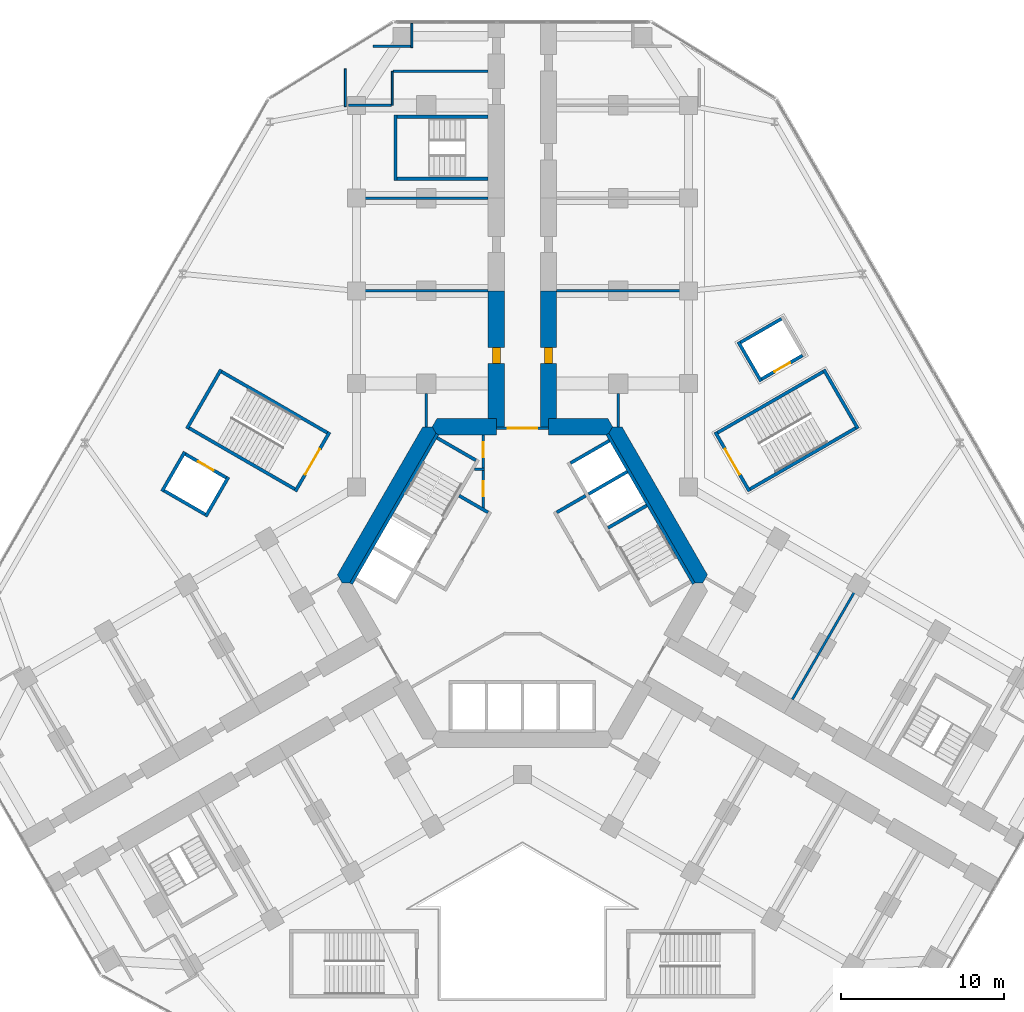
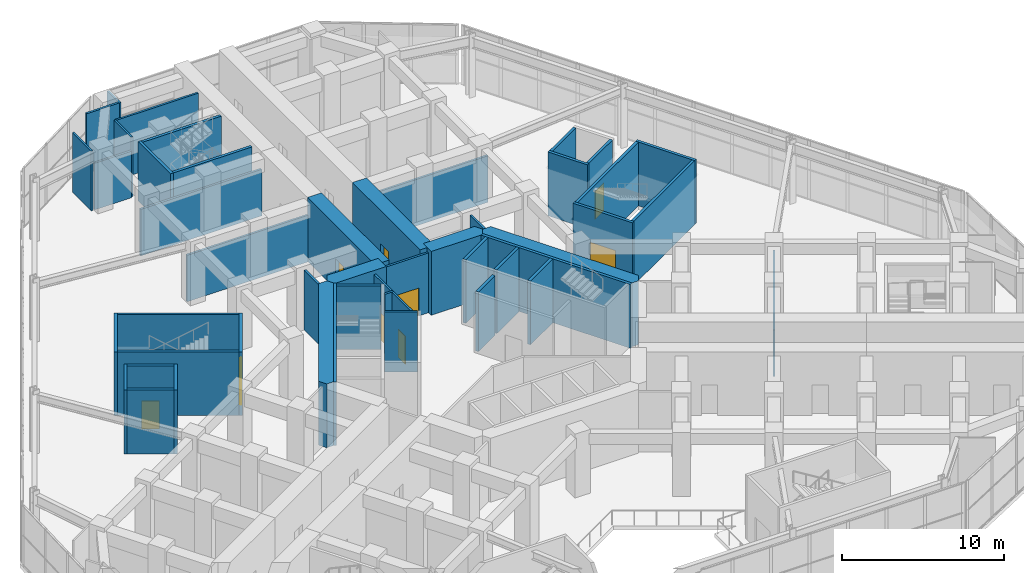
# One storey, part 17 of 21: 47 walls, 9 doors, 9 openings.
"""IFC4 building model written with IfcOpenShell, lengths in metres."""

import ifcopenshell
import ifcopenshell.guid

model = None  # the IFC model being written
_history = None  # IfcOwnerHistory: only IFC2X3 demands one
_inside = {}  # id of a spatial element -> (the spatial element, [elements in it])
_under = {}  # id of a project, library or spatial element -> (it, [spatial elements below it])
_declared = {}  # id of a project -> (the project, [libraries it declares])
_typed = {}  # id of a type object -> (the type object, [elements of that type])
_made_of = {}  # id of a material, layer set ... -> (it, [elements and type objects made of it])


def new_model(schema):
    """Start an empty IFC model of exactly this schema.

    Asked for "IFC4X3", IfcOpenShell would pick the latest addendum, in which some entities
    have other attributes; the version numbers below select the first issue.
    IFC2X3 requires an IfcOwnerHistory on every rooted entity: one is made here for all.
    """
    global model, _history
    if schema == "IFC4X3":
        model = ifcopenshell.file(schema_version=(4, 3, 0, 0))
    else:
        model = ifcopenshell.file(schema=schema)
    _inside.clear()
    _under.clear()
    _declared.clear()
    _typed.clear()
    _made_of.clear()
    _history = None
    if model.schema == "IFC2X3":
        org = make("IfcOrganization", Name="unknown")
        user = make(
            "IfcPersonAndOrganization",
            ThePerson=make("IfcPerson", FamilyName="unknown"),
            TheOrganization=org,
        )
        app = make(
            "IfcApplication",
            ApplicationDeveloper=org,
            Version="unknown",
            ApplicationFullName="unknown",
            ApplicationIdentifier="unknown",
        )
        _history = make(
            "IfcOwnerHistory",
            OwningUser=user,
            OwningApplication=app,
            ChangeAction="ADDED",
            CreationDate=0,
        )
    return model


def make(cls, **values):
    """One entity of the class cls with the attributes given. An attribute that is None is left unset."""
    return model.create_entity(
        cls, **{name: value for name, value in values.items() if value is not None}
    )


def rooted(cls, **values):
    """An entity with a GlobalId (a new one), such as an element, a storey or a relation."""
    return make(cls, GlobalId=ifcopenshell.guid.new(), OwnerHistory=_history, **values)


def si_unit(unit_type, name, prefix=None):
    """IfcSIUnit, for example si_unit("LENGTHUNIT", "METRE", prefix="MILLI")."""
    return make("IfcSIUnit", UnitType=unit_type, Prefix=prefix, Name=name)


def assignment(units):
    """IfcUnitAssignment: the units of a project."""
    return None if units is None else make("IfcUnitAssignment", Units=units)


def point(xyz):
    """IfcCartesianPoint."""
    return None if xyz is None else make("IfcCartesianPoint", Coordinates=xyz)


def direction(xyz):
    """IfcDirection."""
    return None if xyz is None else make("IfcDirection", DirectionRatios=xyz)


def frame(location, z_axis=None, x_axis=None):
    """IfcAxis2Placement3D, a coordinate frame: its origin and axes. An axis left out is left unset."""
    return make(
        "IfcAxis2Placement3D",
        Location=point(location),
        Axis=direction(z_axis),
        RefDirection=direction(x_axis),
    )


def frame_2d(location, x_axis=None):
    """IfcAxis2Placement2D, a coordinate frame in the plane: its origin and x axis."""
    return make(
        "IfcAxis2Placement2D", Location=point(location), RefDirection=direction(x_axis)
    )


def origin():
    """The frame at (0, 0, 0) with its axes left unset."""
    return frame((0.0, 0.0, 0.0))


def place(relative_to, where):
    """IfcLocalPlacement: puts the frame where relative to a parent placement (None: the world)."""
    return make(
        "IfcLocalPlacement", PlacementRelTo=relative_to, RelativePlacement=where
    )


def context(
    kind, dimensions, precision=None, world=None, true_north=None, identifier=None
):
    """IfcGeometricRepresentationContext, for example the 3D "Model" context."""
    return make(
        "IfcGeometricRepresentationContext",
        ContextIdentifier=identifier,
        ContextType=kind,
        CoordinateSpaceDimension=dimensions,
        Precision=precision,
        WorldCoordinateSystem=world,
        TrueNorth=true_north,
    )


def subcontext(parent, identifier, kind, view, scale=None):
    """IfcGeometricRepresentationSubContext, for example "Body" below "Model"."""
    return make(
        "IfcGeometricRepresentationSubContext",
        ContextIdentifier=identifier,
        ContextType=kind,
        ParentContext=parent,
        TargetScale=scale,
        TargetView=view,
    )


def project(units=None, contexts=None):
    """IfcProject with its units and contexts."""
    return rooted(
        "IfcProject",
        Name="project",
        RepresentationContexts=contexts,
        UnitsInContext=assignment(units),
    )


def spatial(cls, under=None, at=None, **own):
    """A site, building, storey or space (cls), placed at a placement, below another one or the project."""
    s = rooted(cls, ObjectPlacement=at, **own)
    if under is not None:
        _under.setdefault(under.id(), (under, []))[1].append(s)
    return s


def polyline(points):
    """IfcPolyline through the points."""
    return make("IfcPolyline", Points=[point(p) for p in points])


def profile(cls, at=None, kind="AREA", **sizes):
    """A parametric profile (cls). Its sizes go by their IFC names, for example OverallWidth=200.0."""
    return make(cls, ProfileType=kind, Position=at, **sizes)


def rectangle(**sizes):
    """IfcRectangleProfileDef."""
    return profile("IfcRectangleProfileDef", **sizes)


def outline(outer, holes=None, kind="AREA"):
    """IfcArbitraryClosedProfileDef: a profile drawn as a closed curve; with holes, ...WithVoids."""
    if holes is None:
        return make("IfcArbitraryClosedProfileDef", ProfileType=kind, OuterCurve=outer)
    return make(
        "IfcArbitraryProfileDefWithVoids",
        ProfileType=kind,
        OuterCurve=outer,
        InnerCurves=holes,
    )


def extrude(swept, where, along, depth):
    """IfcExtrudedAreaSolid: the profile swept, set in the frame where, extruded along a direction by depth."""
    return make(
        "IfcExtrudedAreaSolid",
        SweptArea=swept,
        Position=where,
        ExtrudedDirection=direction(along),
        Depth=depth,
    )


def shape(context_of_items, identifier, shape_type, items):
    """IfcShapeRepresentation: the items that make up one representation, for example the "Body"."""
    return make(
        "IfcShapeRepresentation",
        ContextOfItems=context_of_items,
        RepresentationIdentifier=identifier,
        RepresentationType=shape_type,
        Items=items,
    )


def material(Name=None, Category=None):
    """IfcMaterial."""
    return make("IfcMaterial", Name=Name, Category=Category)


def layer(
    of_material, thickness, ventilated=None, Name=None, Category=None, Priority=None
):
    """IfcMaterialLayer: one layer of a wall or slab, of a material (None: an air gap)."""
    return make(
        "IfcMaterialLayer",
        Material=of_material,
        LayerThickness=thickness,
        IsVentilated=ventilated,
        Name=Name,
        Category=Category,
        Priority=Priority,
    )


def layer_set(layers, Name=None):
    """IfcMaterialLayerSet."""
    return make("IfcMaterialLayerSet", MaterialLayers=layers, LayerSetName=Name)


def made_of(thing, what):
    """Note that an element or type object is made of a material, layer set ...; save() writes the relation."""
    if what is not None:
        _made_of.setdefault(what.id(), (what, []))[1].append(thing)
    return thing


def type_object(cls, material=None, **own):
    """A type object (cls), such as IfcWallType, which elements share."""
    return made_of(rooted(cls, **own), material)


def element(
    cls,
    number,
    at=None,
    inside=None,
    cuts=None,
    type_object=None,
    material=None,
    context=None,
    identifier="Body",
    shape_type=None,
    held_by="IfcProductDefinitionShape",
    body=None,
    shapes=None,
    **own,
):
    """One element of the class cls, such as IfcWall. Its Tag is "e" and its number.

    at: its placement. inside: the storey or other place that contains it. cuts: it is an
    opening in that element (IfcRelVoidsElement). A single representation is given by context,
    identifier, shape_type and body (its items); several are given by shapes. held_by: the class
    of the entity that holds the representations. save() writes the other relations.
    """
    e = rooted(cls, Tag="e%d" % number, ObjectPlacement=at, **own)
    if body is not None:
        shapes = [shape(context, identifier, shape_type, body)]
    if shapes is not None:
        e.Representation = make(held_by, Representations=shapes)
    if inside is not None:
        _inside.setdefault(inside.id(), (inside, []))[1].append(e)
    if cuts is not None:
        rooted(
            "IfcRelVoidsElement", RelatingBuildingElement=cuts, RelatedOpeningElement=e
        )
    if type_object is not None:
        _typed.setdefault(type_object.id(), (type_object, []))[1].append(e)
    return made_of(e, material)


def fill(opening, filler):
    """IfcRelFillsElement: the door or window that sits in an opening."""
    return rooted(
        "IfcRelFillsElement",
        RelatingOpeningElement=opening,
        RelatedBuildingElement=filler,
    )


def aggregate(whole, parts):
    """IfcRelAggregates: a whole, such as a stair, and the parts it consists of."""
    return rooted("IfcRelAggregates", RelatingObject=whole, RelatedObjects=parts)


def save(model, path):
    """Write the relations noted so far, then the file.

    IfcRelAggregates (storeys below a building ...), IfcRelContainedInSpatialStructure (elements
    in a storey), IfcRelDefinesByType, IfcRelAssociatesMaterial and IfcRelDeclares: one each for
    every whole, place, type object, material and project.
    """
    for whole, parts in _under.values():
        aggregate(whole, parts)
    for where, things in _inside.values():
        rooted(
            "IfcRelContainedInSpatialStructure",
            RelatedElements=things,
            RelatingStructure=where,
        )
    for kind, things in _typed.values():
        rooted("IfcRelDefinesByType", RelatedObjects=things, RelatingType=kind)
    for what, things in _made_of.values():
        rooted("IfcRelAssociatesMaterial", RelatedObjects=things, RelatingMaterial=what)
    for by, libraries in _declared.values():
        rooted("IfcRelDeclares", RelatingContext=by, RelatedDefinitions=libraries)
    model.write(path)


model = new_model("IFC4")

# Units and contexts
model_context = context("Model", 3, precision=1e-05, world=origin(), true_north=direction((0.0, 1.0)))
body_context = subcontext(model_context, "Body", "Model", "MODEL_VIEW")
ifc_project = project(units=[si_unit("LENGTHUNIT", "METRE"), si_unit("AREAUNIT", "SQUARE_METRE"), si_unit("VOLUMEUNIT", "CUBIC_METRE"), si_unit("PLANEANGLEUNIT", "RADIAN"), si_unit("MASSUNIT", "GRAM", prefix="KILO")], contexts=[model_context])

# Site, building, storey
site_placement = place(None, origin())
site = spatial("IfcSite", under=ifc_project, at=site_placement, CompositionType="ELEMENT")
building_placement = place(site_placement, origin())
building = spatial("IfcBuilding", under=site, at=building_placement, Name="Kosmar Iwan School Tower", CompositionType="ELEMENT")
storey_placement = place(building_placement, frame((0.0, 0.0, 6.0)))
storey = spatial("IfcBuildingStorey", under=building, at=storey_placement, Name="L01", CompositionType="ELEMENT", Elevation=6.0)

# Wall, openings, doors
ifc_material_1 = material(Name="Gypsum board on steel studs, fire-rated", Category="steel")
ifc_layer_1 = layer(ifc_material_1, 0.14990234375)
ifc_layer_set_1 = layer_set([ifc_layer_1], Name="Core room partition 150")
wall_type_1 = type_object("IfcWallType", Name="Core room partition 150", PredefinedType="PARTITIONING", material=ifc_layer_set_1)
wall_1_placement = place(storey_placement, frame((-2.39990234375, 9.094970703125, 0.0), z_axis=(0.0, 0.0, 1.0), x_axis=(0.0, -1.0, 0.0)))
wall_1 = element("IfcWall", 1, at=wall_1_placement, inside=storey, type_object=wall_type_1, Name="Core room partition L01-CW1", PredefinedType="PARTITIONING", context=body_context, shape_type="SweptSolid", body=[
    extrude(rectangle(XDim=4.564208984375, YDim=0.14990234375, at=frame_2d((2.2822265625, 0.0))), origin(), (0.0, 0.0, 1.0), 4.5),
])
opening_1_placement = place(wall_1_placement, frame((0.455078125, 0.0, 0.0)))
opening_1 = element("IfcOpeningElement", 2, at=opening_1_placement, cuts=wall_1, Name="Opening D14", PredefinedType="OPENING", context=body_context, shape_type="SweptSolid", body=[
    extrude(rectangle(XDim=0.89990234375, YDim=2.10009765625, at=frame_2d((0.449951171875, 1.050048828125))), frame((0.0, 0.0869140625, 0.0), z_axis=(0.0, -1.0, 0.0), x_axis=(1.0, 0.0, 0.0)), (0.0, 0.0, 1.0), 0.173828125),
])
opening_2_placement = place(wall_1_placement, frame((2.85498046875, 0.0, 0.0)))
opening_2 = element("IfcOpeningElement", 3, at=opening_2_placement, cuts=wall_1, Name="Opening D14", PredefinedType="OPENING", context=body_context, shape_type="SweptSolid", body=[
    extrude(rectangle(XDim=0.89990234375, YDim=2.10009765625, at=frame_2d((0.449951171875, 1.050048828125))), frame((0.0, 0.0869140625, 0.0), z_axis=(0.0, -1.0, 0.0), x_axis=(1.0, 0.0, 0.0)), (0.0, 0.0, 1.0), 0.173828125),
])
ifc_material_2 = material(Name="Timber fire door in steel frame", Category="steel")
door_type_1 = type_object("IfcDoorType", Name="Core room door 900x2100", OperationType="SINGLE_SWING_LEFT", PredefinedType="DOOR", material=ifc_material_2)
door_1_placement = place(opening_1_placement, origin())
door_1 = element("IfcDoor", 4, at=door_1_placement, inside=storey, type_object=door_type_1, Name="Electrical riser and switch room door L01 1", OperationType="SINGLE_SWING_LEFT", OverallHeight=2.10009765625, OverallWidth=0.89990234375, PredefinedType="DOOR", context=body_context, shape_type="SweptSolid", body=[
    extrude(rectangle(XDim=0.89990234375, YDim=2.10009765625, at=frame_2d((0.449951171875, 1.050048828125))), frame((0.0, 0.02490234375, 0.0), z_axis=(0.0, -1.0, 0.0), x_axis=(1.0, 0.0, 0.0)), (0.0, 0.0, 1.0), 0.050048828125),
])
fill(opening_1, door_1)
door_2_placement = place(opening_2_placement, origin())
door_2 = element("IfcDoor", 5, at=door_2_placement, inside=storey, type_object=door_type_1, Name="Plumbing and wet riser door L01 2", OperationType="SINGLE_SWING_RIGHT", OverallHeight=2.10009765625, OverallWidth=0.89990234375, PredefinedType="DOOR", context=body_context, shape_type="SweptSolid", body=[
    extrude(rectangle(XDim=0.89990234375, YDim=2.10009765625, at=frame_2d((0.449951171875, 1.050048828125))), frame((0.0, 0.02490234375, 0.0), z_axis=(0.0, -1.0, 0.0), x_axis=(1.0, 0.0, 0.0)), (0.0, 0.0, 1.0), 0.050048828125),
])
fill(opening_2, door_2)

# Walls
wall_2_placement = place(storey_placement, frame((-2.324951171875, 6.985107421875, 0.0), z_axis=(0.0, 0.0, 1.0), x_axis=(-1.0, 0.0, 0.0)))
element("IfcWall", 6, at=wall_2_placement, inside=storey, type_object=wall_type_1, Name="Core room partition L01-CW2", PredefinedType="PARTITIONING", context=body_context, shape_type="SweptSolid", body=[
    extrude(rectangle(XDim=0.623779296875, YDim=0.14990234375, at=frame_2d((0.31201171875, 0.0))), origin(), (0.0, 0.0, 1.0), 4.5),
])
ifc_material_3 = material(Name="Concrete C50/60", Category="concrete")
ifc_layer_2 = layer(ifc_material_3, 1.0)
ifc_layer_set_2 = layer_set([ifc_layer_2], Name="Core wall 1000")
wall_type_2 = type_object("IfcWallType", Name="Core wall 1000", PredefinedType="SHEAR", material=ifc_layer_set_2)
wall_3_placement = place(storey_placement, origin())
element("IfcWall", 7, at=wall_3_placement, inside=storey, type_object=wall_type_2, Name="Core wall F030", PredefinedType="SHEAR", context=body_context, shape_type="SweptSolid", body=[
    extrude(outline(polyline([(10.5078125, 0.0), (11.085205078125, 0.0), (11.373779296875, 0.5), (6.119873046875, 9.60009765625), (5.54248046875, 9.60009765625), (5.25390625, 9.10009765625), (10.5078125, 0.0)])), origin(), (0.0, 0.0, 1.0), 4.800048828125),
])
wall_4_placement = place(storey_placement, origin())
element("IfcWall", 8, at=wall_4_placement, inside=storey, type_object=wall_type_2, Name="Core wall F090a", PredefinedType="SHEAR", context=body_context, shape_type="SweptSolid", body=[
    extrude(outline(polyline([(1.60009765625, 9.10009765625), (5.25390625, 9.10009765625), (5.54248046875, 9.60009765625), (5.25390625, 10.10009765625), (1.60009765625, 10.10009765625), (1.60009765625, 9.10009765625)])), origin(), (0.0, 0.0, 1.0), 4.800048828125),
])
wall_5_placement = place(storey_placement, origin())
element("IfcWall", 9, at=wall_5_placement, inside=storey, type_object=wall_type_2, Name="Core wall F090b", PredefinedType="SHEAR", context=body_context, shape_type="SweptSolid", body=[
    extrude(outline(polyline([(-5.25390625, 9.10009765625), (-1.60009765625, 9.10009765625), (-1.60009765625, 10.10009765625), (-5.25390625, 10.10009765625), (-5.54248046875, 9.60009765625), (-5.25390625, 9.10009765625)])), origin(), (0.0, 0.0, 1.0), 4.800048828125),
])
wall_6_placement = place(storey_placement, origin())
element("IfcWall", 10, at=wall_6_placement, inside=storey, type_object=wall_type_2, Name="Core wall F150", PredefinedType="SHEAR", context=body_context, shape_type="SweptSolid", body=[
    extrude(outline(polyline([(-11.085205078125, 0.0), (-10.5078125, 0.0), (-5.25390625, 9.10009765625), (-5.54248046875, 9.60009765625), (-6.119873046875, 9.60009765625), (-11.373779296875, 0.5), (-11.085205078125, 0.0)])), origin(), (0.0, 0.0, 1.0), 4.800048828125),
])

# Wall, opening, door
ifc_material_4 = material(Name="Concrete C50/60", Category="concrete")
ifc_layer_3 = layer(ifc_material_4, 1.0)
ifc_layer_set_3 = layer_set([ifc_layer_3], Name="Corridor buttress wall 1000")
wall_type_3 = type_object("IfcWallType", Name="Corridor buttress wall 1000", PredefinedType="SHEAR", material=ifc_layer_set_3)
wall_7_placement = place(storey_placement, frame((-1.60009765625, 9.60009765625, 0.0), z_axis=(0.0, 0.0, 1.0), x_axis=(0.0, 1.0, 0.0)))
wall_7 = element("IfcWall", 11, at=wall_7_placement, inside=storey, type_object=wall_type_3, Name="Corridor wall AL", PredefinedType="SHEAR", context=body_context, shape_type="SweptSolid", body=[
    extrude(rectangle(XDim=8.349853515625, YDim=1.0, at=frame_2d((4.1748046875, 0.0))), origin(), (0.0, 0.0, 1.0), 4.800048828125),
])
opening_3_placement = place(wall_7_placement, frame((3.875, 0.0, 0.0)))
opening_3 = element("IfcOpeningElement", 12, at=opening_3_placement, cuts=wall_7, Name="Opening D4", PredefinedType="OPENING", context=body_context, shape_type="SweptSolid", body=[
    extrude(rectangle(XDim=1.0, YDim=2.300048828125, at=frame_2d((0.5, 1.14990234375))), frame((0.0, 0.511962890625, 0.0), z_axis=(0.0, -1.0, 0.0), x_axis=(1.0, 0.0, 0.0)), (0.0, 0.0, 1.0), 1.02392578125),
])
ifc_material_5 = material(Name="Timber fire door with vision panel", Category="wood")
door_type_2 = type_object("IfcDoorType", Name="Classroom door 1000x2300", OperationType="SINGLE_SWING_LEFT", PredefinedType="DOOR", material=ifc_material_5)
door_3_placement = place(opening_3_placement, origin())
door_3 = element("IfcDoor", 13, at=door_3_placement, inside=storey, type_object=door_type_2, Name="Kindergarten group room AL1 door L01-AL1", OperationType="SINGLE_SWING_RIGHT", OverallHeight=2.300048828125, OverallWidth=1.0, PredefinedType="DOOR", context=body_context, shape_type="SweptSolid", body=[
    extrude(rectangle(XDim=1.0, YDim=2.300048828125, at=frame_2d((0.5, 1.14990234375))), frame((0.0, 0.25, 0.0), z_axis=(0.0, -1.0, 0.0), x_axis=(1.0, 0.0, 0.0)), (0.0, 0.0, 1.0), 0.5),
])
fill(opening_3, door_3)

wall_8_placement = place(storey_placement, frame((1.60009765625, 9.60009765625, 0.0), z_axis=(0.0, 0.0, 1.0), x_axis=(0.0, 1.0, 0.0)))
wall_8 = element("IfcWall", 14, at=wall_8_placement, inside=storey, type_object=wall_type_3, Name="Corridor wall AR", PredefinedType="SHEAR", context=body_context, shape_type="SweptSolid", body=[
    extrude(rectangle(XDim=8.349853515625, YDim=1.0, at=frame_2d((4.1748046875, 0.0))), origin(), (0.0, 0.0, 1.0), 4.800048828125),
])
opening_4_placement = place(wall_8_placement, frame((3.875, 0.0, 0.0)))
opening_4 = element("IfcOpeningElement", 15, at=opening_4_placement, cuts=wall_8, Name="Opening D4", PredefinedType="OPENING", context=body_context, shape_type="SweptSolid", body=[
    extrude(rectangle(XDim=1.0, YDim=2.300048828125, at=frame_2d((0.5, 1.14990234375))), frame((0.0, 0.511962890625, 0.0), z_axis=(0.0, -1.0, 0.0), x_axis=(1.0, 0.0, 0.0)), (0.0, 0.0, 1.0), 1.02392578125),
])
door_4_placement = place(opening_4_placement, origin())
door_4 = element("IfcDoor", 16, at=door_4_placement, inside=storey, type_object=door_type_2, Name="Kindergarten group room AR1 door L01-AR1", OperationType="SINGLE_SWING_RIGHT", OverallHeight=2.300048828125, OverallWidth=1.0, PredefinedType="DOOR", context=body_context, shape_type="SweptSolid", body=[
    extrude(rectangle(XDim=1.0, YDim=2.300048828125, at=frame_2d((0.5, 1.14990234375))), frame((0.0, 0.25, 0.0), z_axis=(0.0, -1.0, 0.0), x_axis=(1.0, 0.0, 0.0)), (0.0, 0.0, 1.0), 0.5),
])
fill(opening_4, door_4)

ifc_material_6 = material(Name="Steel framed glazed screen", Category="steel")
ifc_layer_4 = layer(ifc_material_6, 0.14990234375)
ifc_layer_set_4 = layer_set([ifc_layer_4], Name="Corridor screen wall 150")
wall_type_4 = type_object("IfcWallType", Name="Corridor screen wall 150", PredefinedType="PARTITIONING", material=ifc_layer_set_4)
wall_9_placement = place(storey_placement, frame((1.60009765625, 9.5, 0.0), z_axis=(0.0, 0.0, 1.0), x_axis=(-1.0, 0.0, 0.0)))
wall_9 = element("IfcWall", 17, at=wall_9_placement, inside=storey, type_object=wall_type_4, Name="Corridor screen A L01", PredefinedType="PARTITIONING", context=body_context, shape_type="SweptSolid", body=[
    extrude(rectangle(XDim=3.2001953125, YDim=0.14990234375, at=frame_2d((1.60009765625, 0.0))), origin(), (0.0, 0.0, 1.0), 4.5),
])
opening_5_placement = place(wall_9_placement, frame((0.699951171875, 0.0, 0.0)))
opening_5 = element("IfcOpeningElement", 18, at=opening_5_placement, cuts=wall_9, Name="Opening D9", PredefinedType="OPENING", context=body_context, shape_type="SweptSolid", body=[
    extrude(rectangle(XDim=1.800048828125, YDim=2.10009765625, at=frame_2d((0.89990234375, 1.050048828125))), frame((0.0, 0.0869140625, 0.0), z_axis=(0.0, -1.0, 0.0), x_axis=(1.0, 0.0, 0.0)), (0.0, 0.0, 1.0), 0.173828125),
])
ifc_material_7 = material(Name="Steel framed glazed smoke door", Category="steel")
door_type_3 = type_object("IfcDoorType", Name="Corridor smoke door pair 1800x2100", OperationType="DOUBLE_DOOR_DOUBLE_SWING", PredefinedType="DOOR", material=ifc_material_7)
door_5_placement = place(opening_5_placement, origin())
door_5 = element("IfcDoor", 19, at=door_5_placement, inside=storey, type_object=door_type_3, Name="Corridor doors A L01", OperationType="DOUBLE_DOOR_DOUBLE_SWING", OverallHeight=2.10009765625, OverallWidth=1.800048828125, PredefinedType="DOOR", context=body_context, shape_type="SweptSolid", body=[
    extrude(rectangle(XDim=1.800048828125, YDim=2.10009765625, at=frame_2d((0.89990234375, 1.050048828125))), frame((0.0, 0.02490234375, 0.0), z_axis=(0.0, -1.0, 0.0), x_axis=(1.0, 0.0, 0.0)), (0.0, 0.0, 1.0), 0.050048828125),
])
fill(opening_5, door_5)

# Walls
ifc_material_8 = material(Name="Gypsum board on steel studs", Category="steel")
ifc_layer_5 = layer(ifc_material_8, 0.1201171875)
ifc_layer_set_5 = layer_set([ifc_layer_5], Name="Dwelling partition 120")
wall_type_5 = type_object("IfcWallType", Name="Dwelling partition 120", PredefinedType="PARTITIONING", material=ifc_layer_set_5)
wall_10_placement = place(storey_placement, frame((-6.7900390625, 32.89990234375, 0.0), z_axis=(0.0, 0.0, 1.0), x_axis=(0.0, 1.0, 0.0)))
element("IfcWall", 20, at=wall_10_placement, inside=storey, type_object=wall_type_5, Name="Partition L01-AL-DL", PredefinedType="PARTITIONING", context=body_context, shape_type="SweptSolid", body=[
    extrude(rectangle(XDim=1.4951171875, YDim=0.1201171875, at=frame_2d((0.74755859375, 0.0))), origin(), (0.0, 0.0, 1.0), 4.5),
])
wall_11_placement = place(storey_placement, frame((-10.8798828125, 29.27490234375, 0.0), z_axis=(0.0, 0.0, 1.0), x_axis=(0.0, 1.0, 0.0)))
element("IfcWall", 21, at=wall_11_placement, inside=storey, type_object=wall_type_5, Name="Partition L01-AL-TW", PredefinedType="PARTITIONING", context=body_context, shape_type="SweptSolid", body=[
    extrude(rectangle(XDim=2.3251953125, YDim=0.1201171875, at=frame_2d((1.16259765625, 0.0))), origin(), (0.0, 0.0, 1.0), 4.5),
])
wall_12_placement = place(storey_placement, frame((-8.0, 29.35009765625, 0.0), z_axis=(0.0, 0.0, 1.0), x_axis=(0.0, 1.0, 0.0)))
element("IfcWall", 22, at=wall_12_placement, inside=storey, type_object=wall_type_5, Name="Partition L01-AL-X3L", PredefinedType="PARTITIONING", context=body_context, shape_type="SweptSolid", body=[
    extrude(rectangle(XDim=2.099853515625, YDim=0.1201171875, at=frame_2d((1.0498046875, 0.0))), origin(), (0.0, 0.0, 1.0), 4.5),
])
ifc_material_9 = material(Name="Concrete C35/45", Category="concrete")
ifc_layer_6 = layer(ifc_material_9, 0.199951171875)
ifc_layer_set_6 = layer_set([ifc_layer_6], Name="Escape stair wall 200")
wall_type_6 = type_object("IfcWallType", Name="Escape stair wall 200", PredefinedType="SHEAR", material=ifc_layer_set_6)
for number, where, z_axis, x_axis, name in (
    (23, (-2.10009765625, 24.85009765625, 0.0), (0.0, 0.0, 1.0), (-1.0, 0.0, 0.0), "Stair WS1 wall"),
    (24, (-2.10009765625, 28.64990234375, 0.0), (0.0, 0.0, 1.0), (-1.0, 0.0, 0.0), "Stair WS1 wall"),
):
    element("IfcWall", number, at=place(storey_placement, frame(where, z_axis=z_axis, x_axis=x_axis)), inside=storey, type_object=wall_type_6, Name=name, PredefinedType="SHEAR", context=body_context, shape_type="SweptSolid", body=[
        extrude(rectangle(XDim=5.7998046875, YDim=0.199951171875, at=frame_2d((2.89990234375, 0.0))), origin(), (0.0, 0.0, 1.0), 4.47998046875),
    ])
wall_13_placement = place(storey_placement, frame((-7.800048828125, 24.75, 0.0), z_axis=(0.0, 0.0, 1.0), x_axis=(0.0, 1.0, 0.0)))
element("IfcWall", 25, at=wall_13_placement, inside=storey, type_object=wall_type_6, Name="Stair WS1 wall", PredefinedType="SHEAR", context=body_context, shape_type="SweptSolid", body=[
    extrude(rectangle(XDim=4.0, YDim=0.199951171875, at=frame_2d((2.0, 0.0))), origin(), (0.0, 0.0, 1.0), 4.47998046875),
])
ifc_material_10 = material(Name="Concrete block masonry", Category="masonry")
ifc_layer_7 = layer(ifc_material_10, 0.199951171875)
ifc_layer_set_7 = layer_set([ifc_layer_7], Name="Fire lobby wall 200")
wall_type_7 = type_object("IfcWallType", Name="Fire lobby wall 200", PredefinedType="PARTITIONING", material=ifc_layer_set_7)
for number, where, z_axis, x_axis, name in (
    (26, (-2.114013671875, 4.33837890625, 0.0), (0.0, 0.0, 1.0), (-0.866050731258, 0.499956128963, 0.0), "Firefighting lobby wall ST2"),
    (27, (2.114013671875, 4.33837890625, 0.0), (0.0, 0.0, 1.0), (0.866050731258, 0.499956128963, 0.0), "Firefighting lobby wall ST1"),
):
    element("IfcWall", number, at=place(storey_placement, frame(where, z_axis=z_axis, x_axis=x_axis)), inside=storey, type_object=wall_type_7, Name=name, PredefinedType="PARTITIONING", context=body_context, shape_type="SweptSolid", body=[
        extrude(rectangle(XDim=2.050048828125, YDim=0.199951171875, at=frame_2d((1.02490234375, 0.0))), origin(), (0.0, 0.0, 1.0), 4.5),
    ])
ifc_material_11 = material(Name="Concrete C50/60", Category="concrete")
ifc_layer_8 = layer(ifc_material_11, 0.199951171875)
ifc_layer_set_8 = layer_set([ifc_layer_8], Name="Lift shaft wall 200")
wall_type_8 = type_object("IfcWallType", Name="Lift shaft wall 200", PredefinedType="SHEAR", material=ifc_layer_set_8)
for number, where, z_axis, x_axis, name in (
    (28, (-5.22509765625, 9.14990234375, 0.0), (0.0, 0.0, 1.0), (-0.499994998079, -0.866028291626, 0.0), "Lift and stair back wall AB"),
    (29, (10.53662109375, -0.050048828125, 0.0), (0.0, 0.0, 1.0), (-0.499994998079, 0.866028291626, 0.0), "Lift and stair back wall AC"),
):
    element("IfcWall", number, at=place(storey_placement, frame(where, z_axis=z_axis, x_axis=x_axis)), inside=storey, type_object=wall_type_8, Name=name, PredefinedType="SHEAR", context=body_context, shape_type="SweptSolid", body=[
        extrude(rectangle(XDim=10.623046875, YDim=0.199951171875, at=frame_2d((5.3115234375, 0.0))), origin(), (0.0, 0.0, 1.0), 4.800048828125),
    ])
for number, where, z_axis, x_axis, name in (
    (30, (4.062744140625, 5.46337890625, 0.0), (0.0, 0.0, 1.0), (0.866027397988, 0.499996545922, 0.0), "Lift shaft wall AC 1"),
    (31, (2.962646484375, 7.368408203125, 0.0), (0.0, 0.0, 1.0), (0.866027397988, 0.499996545922, 0.0), "Lift shaft wall AC 2"),
):
    element("IfcWall", number, at=place(storey_placement, frame(where, z_axis=z_axis, x_axis=x_axis)), inside=storey, type_object=wall_type_8, Name=name, PredefinedType="SHEAR", context=body_context, shape_type="SweptSolid", body=[
        extrude(rectangle(XDim=2.75, YDim=0.199951171875, at=frame_2d((1.375, 0.0))), origin(), (0.0, 0.0, 1.0), 4.800048828125),
    ])
wall_14_placement = place(storey_placement, frame((14.66796875, 12.39453125, 0.0), z_axis=(0.0, 0.0, 1.0), x_axis=(-0.500049511043, 0.865996816683, 0.0)))
element("IfcWall", 32, at=wall_14_placement, inside=storey, type_object=wall_type_8, Name="School lift SL1 shaft wall", PredefinedType="SHEAR", context=body_context, shape_type="SweptSolid", body=[
    extrude(rectangle(XDim=2.800048828125, YDim=0.199951171875, at=frame_2d((1.39990234375, 0.0))), origin(), (0.0, 0.0, 1.0), 4.800048828125),
])
wall_15_placement = place(storey_placement, frame((13.404541015625, 14.78271484375, 0.0), z_axis=(0.0, 0.0, 1.0), x_axis=(0.866032775405, 0.499987231761, 0.0)))
element("IfcWall", 33, at=wall_15_placement, inside=storey, type_object=wall_type_8, Name="School lift SL1 shaft wall", PredefinedType="SHEAR", context=body_context, shape_type="SweptSolid", body=[
    extrude(rectangle(XDim=2.89990234375, YDim=0.199951171875, at=frame_2d((1.449951171875, 0.0))), origin(), (0.0, 0.0, 1.0), 4.800048828125),
])

# Wall, opening, door
wall_16_placement = place(storey_placement, frame((14.70458984375, 12.531005859375, 0.0), z_axis=(0.0, 0.0, 1.0), x_axis=(0.865996321171, 0.50005036918, 0.0)))
wall_16 = element("IfcWall", 34, at=wall_16_placement, inside=storey, type_object=wall_type_8, Name="School lift SL1 shaft wall", PredefinedType="SHEAR", context=body_context, shape_type="SweptSolid", body=[
    extrude(rectangle(XDim=2.900146484375, YDim=0.199951171875, at=frame_2d((1.4501953125, 0.0))), origin(), (0.0, 0.0, 1.0), 4.800048828125),
])
opening_6_placement = place(wall_16_placement, frame((0.89990234375, 0.0, 0.0)))
opening_6 = element("IfcOpeningElement", 35, at=opening_6_placement, cuts=wall_16, Name="Opening LD1", PredefinedType="OPENING", context=body_context, shape_type="SweptSolid", body=[
    extrude(rectangle(XDim=1.10009765625, YDim=2.10009765625, at=frame_2d((0.550048828125, 1.050048828125))), frame((0.0, 0.112060546875, 0.0), z_axis=(0.0, -1.0, 0.0), x_axis=(1.0, 0.0, 0.0)), (0.0, 0.0, 1.0), 0.223876953125),
])
ifc_material_12 = material(Name="Stainless steel sliding lift door", Category="steel")
door_type_4 = type_object("IfcDoorType", Name="Lift landing door 1100x2100", OperationType="SLIDING_TO_LEFT", PredefinedType="DOOR", material=ifc_material_12)
door_6_placement = place(opening_6_placement, origin())
door_6 = element("IfcDoor", 36, at=door_6_placement, inside=storey, type_object=door_type_4, Name="Lift SL1 landing door L01", OperationType="SLIDING_TO_LEFT", OverallHeight=2.10009765625, OverallWidth=1.10009765625, PredefinedType="DOOR", context=body_context, shape_type="SweptSolid", body=[
    extrude(rectangle(XDim=1.10009765625, YDim=2.10009765625, at=frame_2d((0.550048828125, 1.050048828125))), frame((0.0, 0.02490234375, 0.0), z_axis=(0.0, -1.0, 0.0), x_axis=(1.0, 0.0, 0.0)), (0.0, 0.0, 1.0), 0.050048828125),
])
fill(opening_6, door_6)

# Walls
for number, where, z_axis, x_axis, name in (
    (37, (-18.06787109375, 6.505615234375, 0.0), (0.0, 0.0, 1.0), (-0.49994636267, -0.866056369097, 0.0), "School lift SL2 shaft wall"),
    (38, (-20.75244140625, 8.055419921875, 0.0), (0.0, 0.0, 1.0), (-0.500049511043, -0.865996816683, 0.0), "School lift SL2 shaft wall"),
):
    element("IfcWall", number, at=place(storey_placement, frame(where, z_axis=z_axis, x_axis=x_axis)), inside=storey, type_object=wall_type_8, Name=name, PredefinedType="SHEAR", context=body_context, shape_type="SweptSolid", body=[
        extrude(rectangle(XDim=2.800048828125, YDim=0.199951171875, at=frame_2d((1.39990234375, 0.0))), origin(), (0.0, 0.0, 1.0), 4.800048828125),
    ])
wall_17_placement = place(storey_placement, frame((-19.50439453125, 4.21728515625, 0.0), z_axis=(0.0, 0.0, 1.0), x_axis=(-0.866032775405, 0.499987231761, 0.0)))
element("IfcWall", 39, at=wall_17_placement, inside=storey, type_object=wall_type_8, Name="School lift SL2 shaft wall", PredefinedType="SHEAR", context=body_context, shape_type="SweptSolid", body=[
    extrude(rectangle(XDim=2.89990234375, YDim=0.199951171875, at=frame_2d((1.449951171875, 0.0))), origin(), (0.0, 0.0, 1.0), 4.800048828125),
])

# Wall, opening, door
wall_18_placement = place(storey_placement, frame((-18.20458984375, 6.468994140625, 0.0), z_axis=(0.0, 0.0, 1.0), x_axis=(-0.866032775405, 0.499987231761, 0.0)))
wall_18 = element("IfcWall", 40, at=wall_18_placement, inside=storey, type_object=wall_type_8, Name="School lift SL2 shaft wall", PredefinedType="SHEAR", context=body_context, shape_type="SweptSolid", body=[
    extrude(rectangle(XDim=2.89990234375, YDim=0.199951171875, at=frame_2d((1.449951171875, 0.0))), origin(), (0.0, 0.0, 1.0), 4.800048828125),
])
opening_7_placement = place(wall_18_placement, frame((0.89990234375, 0.0, 0.0)))
opening_7 = element("IfcOpeningElement", 41, at=opening_7_placement, cuts=wall_18, Name="Opening LD1", PredefinedType="OPENING", context=body_context, shape_type="SweptSolid", body=[
    extrude(rectangle(XDim=1.10009765625, YDim=2.10009765625, at=frame_2d((0.550048828125, 1.050048828125))), frame((0.0, 0.112060546875, 0.0), z_axis=(0.0, -1.0, 0.0), x_axis=(1.0, 0.0, 0.0)), (0.0, 0.0, 1.0), 0.223876953125),
])
door_7_placement = place(opening_7_placement, origin())
door_7 = element("IfcDoor", 42, at=door_7_placement, inside=storey, type_object=door_type_4, Name="Lift SL2 landing door L01", OperationType="SLIDING_TO_LEFT", OverallHeight=2.10009765625, OverallWidth=1.10009765625, PredefinedType="DOOR", context=body_context, shape_type="SweptSolid", body=[
    extrude(rectangle(XDim=1.10009765625, YDim=2.10009765625, at=frame_2d((0.550048828125, 1.050048828125))), frame((0.0, 0.02490234375, 0.0), z_axis=(0.0, -1.0, 0.0), x_axis=(1.0, 0.0, 0.0)), (0.0, 0.0, 1.0), 0.050048828125),
])
fill(opening_7, door_7)

# Walls
ifc_material_13 = material(Name="Gypsum board on steel studs", Category="steel")
ifc_layer_9 = layer(ifc_material_13, 0.14990234375)
ifc_layer_set_9 = layer_set([ifc_layer_9], Name="School partition 150")
wall_type_9 = type_object("IfcWallType", Name="School partition 150", PredefinedType="PARTITIONING", material=ifc_layer_set_9)
wall_19_placement = place(storey_placement, frame((-5.89990234375, 9.60009765625, 0.0), z_axis=(0.0, 0.0, 1.0), x_axis=(0.0, 1.0, 0.0)))
element("IfcWall", 43, at=wall_19_placement, inside=storey, type_object=wall_type_9, Name="Partition L01-AL-NB", PredefinedType="PARTITIONING", context=body_context, shape_type="SweptSolid", body=[
    extrude(rectangle(XDim=2.0498046875, YDim=0.14990234375, at=frame_2d((1.02490234375, 0.0))), origin(), (0.0, 0.0, 1.0), 4.5),
])
wall_20_placement = place(storey_placement, frame((-6.72998046875, 32.97509765625, 0.0), z_axis=(0.0, 0.0, 1.0), x_axis=(-1.0, 0.0, 0.0)))
element("IfcWall", 44, at=wall_20_placement, inside=storey, type_object=wall_type_9, Name="Partition L01-AL-DC", PredefinedType="PARTITIONING", context=body_context, shape_type="SweptSolid", body=[
    extrude(rectangle(XDim=2.445068359375, YDim=0.14990234375, at=frame_2d((1.22265625, 0.0))), origin(), (0.0, 0.0, 1.0), 4.5),
])
for number, where, z_axis, x_axis, name in (
    (45, (-2.10009765625, 17.949951171875, 0.0), (0.0, 0.0, 1.0), (-1.0, 0.0, 0.0), "Partition L01-AL-X1"),
    (46, (-2.10009765625, 23.64990234375, 0.0), (0.0, 0.0, 1.0), (-1.0, 0.0, 0.0), "Partition L01-AL-X2"),
):
    element("IfcWall", number, at=place(storey_placement, frame(where, z_axis=z_axis, x_axis=x_axis)), inside=storey, type_object=wall_type_9, Name=name, PredefinedType="PARTITIONING", context=body_context, shape_type="SweptSolid", body=[
        extrude(rectangle(XDim=8.599853515625, YDim=0.14990234375, at=frame_2d((4.2998046875, 0.0))), origin(), (0.0, 0.0, 1.0), 3.5),
    ])
wall_21_placement = place(storey_placement, frame((-8.06005859375, 29.35009765625, 0.0), z_axis=(0.0, 0.0, 1.0), x_axis=(-1.0, 0.0, 0.0)))
element("IfcWall", 47, at=wall_21_placement, inside=storey, type_object=wall_type_9, Name="Partition L01-AL-X3", PredefinedType="PARTITIONING", context=body_context, shape_type="SweptSolid", body=[
    extrude(rectangle(XDim=2.639892578125, YDim=0.14990234375, at=frame_2d((1.31982421875, 0.0))), origin(), (0.0, 0.0, 1.0), 3.5),
])
wall_22_placement = place(storey_placement, frame((-2.10009765625, 31.449951171875, 0.0), z_axis=(0.0, 0.0, 1.0), x_axis=(-1.0, 0.0, 0.0)))
element("IfcWall", 48, at=wall_22_placement, inside=storey, type_object=wall_type_9, Name="Partition L01-AL-X3T", PredefinedType="PARTITIONING", context=body_context, shape_type="SweptSolid", body=[
    extrude(rectangle(XDim=5.83984375, YDim=0.14990234375, at=frame_2d((2.919921875, 0.0))), origin(), (0.0, 0.0, 1.0), 4.5),
])
wall_23_placement = place(storey_placement, frame((5.89990234375, 9.60009765625, 0.0), z_axis=(0.0, 0.0, 1.0), x_axis=(0.0, 1.0, 0.0)))
element("IfcWall", 49, at=wall_23_placement, inside=storey, type_object=wall_type_9, Name="Partition L01-AR-NB", PredefinedType="PARTITIONING", context=body_context, shape_type="SweptSolid", body=[
    extrude(rectangle(XDim=2.0498046875, YDim=0.14990234375, at=frame_2d((1.02490234375, 0.0))), origin(), (0.0, 0.0, 1.0), 4.5),
])
for number, where, z_axis, x_axis, name in (
    (50, (2.10009765625, 17.949951171875, 0.0), (0.0, 0.0, 1.0), (1.0, 0.0, 0.0), "Partition L01-AR-X1"),
    (51, (16.59521484375, -7.15625, 0.0), (0.0, 0.0, 1.0), (0.500007509209, 0.866021068297, 0.0), "Partition L01-CL-X1"),
):
    element("IfcWall", number, at=place(storey_placement, frame(where, z_axis=z_axis, x_axis=x_axis)), inside=storey, type_object=wall_type_9, Name=name, PredefinedType="PARTITIONING", context=body_context, shape_type="SweptSolid", body=[
        extrude(rectangle(XDim=8.599853515625, YDim=0.14990234375, at=frame_2d((4.2998046875, 0.0))), origin(), (0.0, 0.0, 1.0), 3.5),
    ])
ifc_material_14 = material(Name="Concrete C50/60", Category="concrete")
ifc_layer_10 = layer(ifc_material_14, 0.199951171875)
ifc_layer_set_10 = layer_set([ifc_layer_10], Name="Stair enclosure wall 200")
wall_type_10 = type_object("IfcWallType", Name="Stair enclosure wall 200", PredefinedType="SHEAR", material=ifc_layer_set_10)
for number, where, z_axis, x_axis, name in (
    (52, (-2.862548828125, 7.541748046875, 0.0), (0.0, 0.0, 1.0), (-0.866027397988, 0.499996545922, 0.0), "Stair ST2 wall"),
    (53, (5.2626953125, 3.384765625, 0.0), (0.0, 0.0, 1.0), (0.866027397988, 0.499996545922, 0.0), "Stair ST1 wall"),
):
    element("IfcWall", number, at=place(storey_placement, frame(where, z_axis=z_axis, x_axis=x_axis)), inside=storey, type_object=wall_type_10, Name=name, PredefinedType="SHEAR", context=body_context, shape_type="SweptSolid", body=[
        extrude(rectangle(XDim=2.75, YDim=0.199951171875, at=frame_2d((1.375, 0.0))), origin(), (0.0, 0.0, 1.0), 4.800048828125),
    ])
for number, where, z_axis, x_axis, name in (
    (54, (13.990478515625, 5.767822265625, 0.0), (0.0, 0.0, 1.0), (0.866008863278, 0.500028647903, 0.0), "School stair SS3 wall"),
    (55, (11.990478515625, 9.23193359375, 0.0), (0.0, 0.0, 1.0), (0.866008863278, 0.500028647903, 0.0), "School stair SS3 wall"),
):
    element("IfcWall", number, at=place(storey_placement, frame(where, z_axis=z_axis, x_axis=x_axis)), inside=storey, type_object=wall_type_10, Name=name, PredefinedType="SHEAR", context=body_context, shape_type="SweptSolid", body=[
        extrude(rectangle(XDim=7.5, YDim=0.199951171875, at=frame_2d((3.75, 0.0))), origin(), (0.0, 0.0, 1.0), 4.800048828125),
    ])
wall_24_placement = place(storey_placement, frame((20.6220703125, 9.4814453125, 0.0), z_axis=(0.0, 0.0, 1.0), x_axis=(-0.49998411664, 0.866034573852, 0.0)))
element("IfcWall", 56, at=wall_24_placement, inside=storey, type_object=wall_type_10, Name="School stair SS3 wall", PredefinedType="SHEAR", context=body_context, shape_type="SweptSolid", body=[
    extrude(rectangle(XDim=4.199951171875, YDim=0.199951171875, at=frame_2d((2.10009765625, 0.0))), origin(), (0.0, 0.0, 1.0), 4.800048828125),
])

# Wall, opening, door
wall_25_placement = place(storey_placement, frame((13.953857421875, 5.63134765625, 0.0), z_axis=(0.0, 0.0, 1.0), x_axis=(-0.500027713859, 0.866009402589, 0.0)))
wall_25 = element("IfcWall", 57, at=wall_25_placement, inside=storey, type_object=wall_type_10, Name="School stair SS3 wall", PredefinedType="SHEAR", context=body_context, shape_type="SweptSolid", body=[
    extrude(rectangle(XDim=4.199951171875, YDim=0.199951171875, at=frame_2d((2.10009765625, 0.0))), origin(), (0.0, 0.0, 1.0), 4.800048828125),
])
opening_8_placement = place(wall_25_placement, frame((1.199951171875, 0.0, 0.0)))
opening_8 = element("IfcOpeningElement", 58, at=opening_8_placement, cuts=wall_25, Name="Opening D8", PredefinedType="OPENING", context=body_context, shape_type="SweptSolid", body=[
    extrude(rectangle(XDim=1.800048828125, YDim=2.300048828125, at=frame_2d((0.89990234375, 1.14990234375))), frame((0.0, 0.112060546875, 0.0), z_axis=(0.0, -1.0, 0.0), x_axis=(1.0, 0.0, 0.0)), (0.0, 0.0, 1.0), 0.223876953125),
])
ifc_material_15 = material(Name="Steel fire door", Category="steel")
door_type_5 = type_object("IfcDoorType", Name="School stair door pair 1800x2300", OperationType="DOUBLE_DOOR_SINGLE_SWING", PredefinedType="DOOR", material=ifc_material_15)
door_8_placement = place(opening_8_placement, origin())
door_8 = element("IfcDoor", 59, at=door_8_placement, inside=storey, type_object=door_type_5, Name="School stair SS3 door L01", OperationType="DOUBLE_DOOR_SINGLE_SWING", OverallHeight=2.300048828125, OverallWidth=1.800048828125, PredefinedType="DOOR", context=body_context, shape_type="SweptSolid", body=[
    extrude(rectangle(XDim=1.800048828125, YDim=2.300048828125, at=frame_2d((0.89990234375, 1.14990234375))), frame((0.0, 0.02490234375, 0.0), z_axis=(0.0, -1.0, 0.0), x_axis=(1.0, 0.0, 0.0)), (0.0, 0.0, 1.0), 0.050048828125),
])
fill(opening_8, door_8)

# Walls
for number, where, z_axis, x_axis, name in (
    (60, (-11.990478515625, 9.23193359375, 0.0), (0.0, 0.0, 1.0), (-0.866008863278, 0.500028647903, 0.0), "School stair SS4 wall"),
    (61, (-13.990478515625, 5.767822265625, 0.0), (0.0, 0.0, 1.0), (-0.866008863278, 0.500028647903, 0.0), "School stair SS4 wall"),
):
    element("IfcWall", number, at=place(storey_placement, frame(where, z_axis=z_axis, x_axis=x_axis)), inside=storey, type_object=wall_type_10, Name=name, PredefinedType="SHEAR", context=body_context, shape_type="SweptSolid", body=[
        extrude(rectangle(XDim=7.5, YDim=0.199951171875, at=frame_2d((3.75, 0.0))), origin(), (0.0, 0.0, 1.0), 4.800048828125),
    ])
wall_26_placement = place(storey_placement, frame((-18.522216796875, 13.11865234375, 0.0), z_axis=(0.0, 0.0, 1.0), x_axis=(-0.49998411664, -0.866034573852, 0.0)))
element("IfcWall", 62, at=wall_26_placement, inside=storey, type_object=wall_type_10, Name="School stair SS4 wall", PredefinedType="SHEAR", context=body_context, shape_type="SweptSolid", body=[
    extrude(rectangle(XDim=4.199951171875, YDim=0.199951171875, at=frame_2d((2.10009765625, 0.0))), origin(), (0.0, 0.0, 1.0), 4.800048828125),
])

# Wall, opening, door
wall_27_placement = place(storey_placement, frame((-11.853759765625, 9.2685546875, 0.0), z_axis=(0.0, 0.0, 1.0), x_axis=(-0.500027713859, -0.866009402589, 0.0)))
wall_27 = element("IfcWall", 63, at=wall_27_placement, inside=storey, type_object=wall_type_10, Name="School stair SS4 wall", PredefinedType="SHEAR", context=body_context, shape_type="SweptSolid", body=[
    extrude(rectangle(XDim=4.199951171875, YDim=0.199951171875, at=frame_2d((2.10009765625, 0.0))), origin(), (0.0, 0.0, 1.0), 4.800048828125),
])
opening_9_placement = place(wall_27_placement, frame((1.199951171875, 0.0, 0.0)))
opening_9 = element("IfcOpeningElement", 64, at=opening_9_placement, cuts=wall_27, Name="Opening D8", PredefinedType="OPENING", context=body_context, shape_type="SweptSolid", body=[
    extrude(rectangle(XDim=1.800048828125, YDim=2.300048828125, at=frame_2d((0.89990234375, 1.14990234375))), frame((0.0, 0.112060546875, 0.0), z_axis=(0.0, -1.0, 0.0), x_axis=(1.0, 0.0, 0.0)), (0.0, 0.0, 1.0), 0.223876953125),
])
door_9_placement = place(opening_9_placement, origin())
door_9 = element("IfcDoor", 65, at=door_9_placement, inside=storey, type_object=door_type_5, Name="School stair SS4 door L01", OperationType="DOUBLE_DOOR_SINGLE_SWING", OverallHeight=2.300048828125, OverallWidth=1.800048828125, PredefinedType="DOOR", context=body_context, shape_type="SweptSolid", body=[
    extrude(rectangle(XDim=1.800048828125, YDim=2.300048828125, at=frame_2d((0.89990234375, 1.14990234375))), frame((0.0, 0.02490234375, 0.0), z_axis=(0.0, -1.0, 0.0), x_axis=(1.0, 0.0, 0.0)), (0.0, 0.0, 1.0), 0.050048828125),
])
fill(opening_9, door_9)

save(model, "model.ifc")
